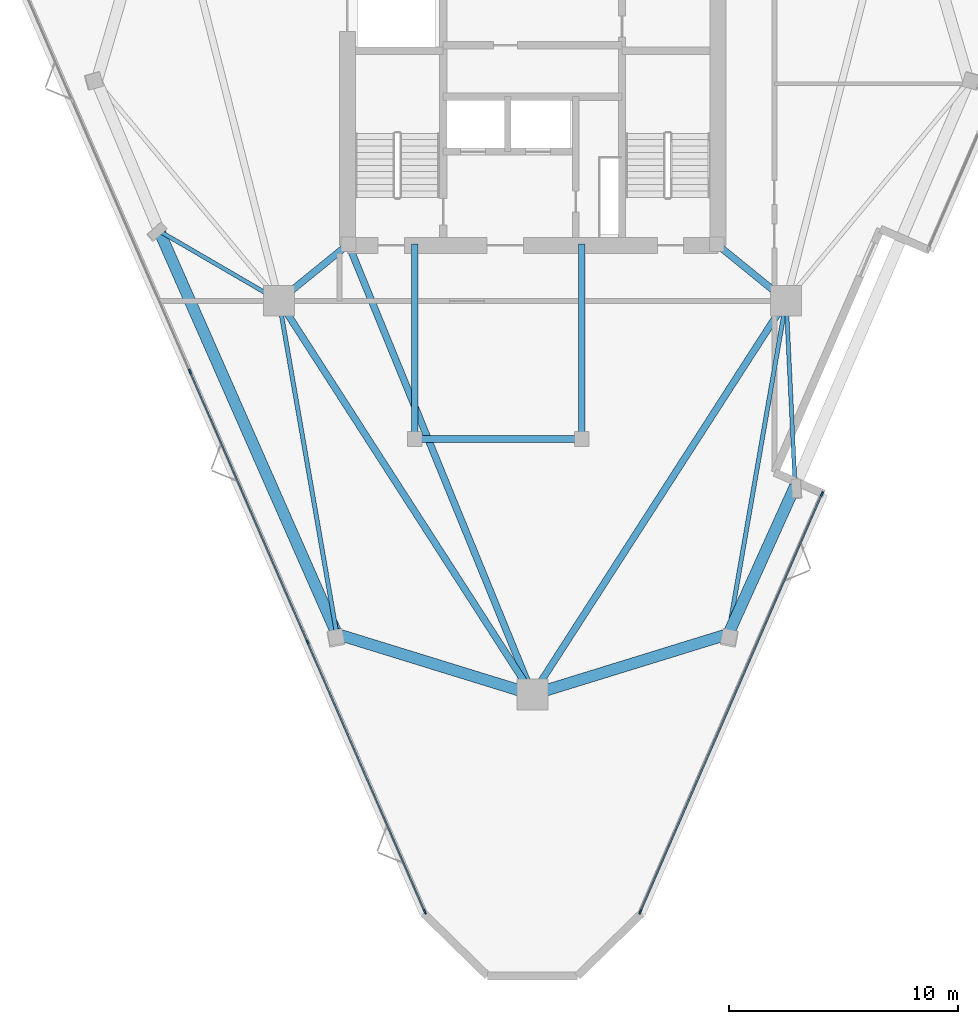
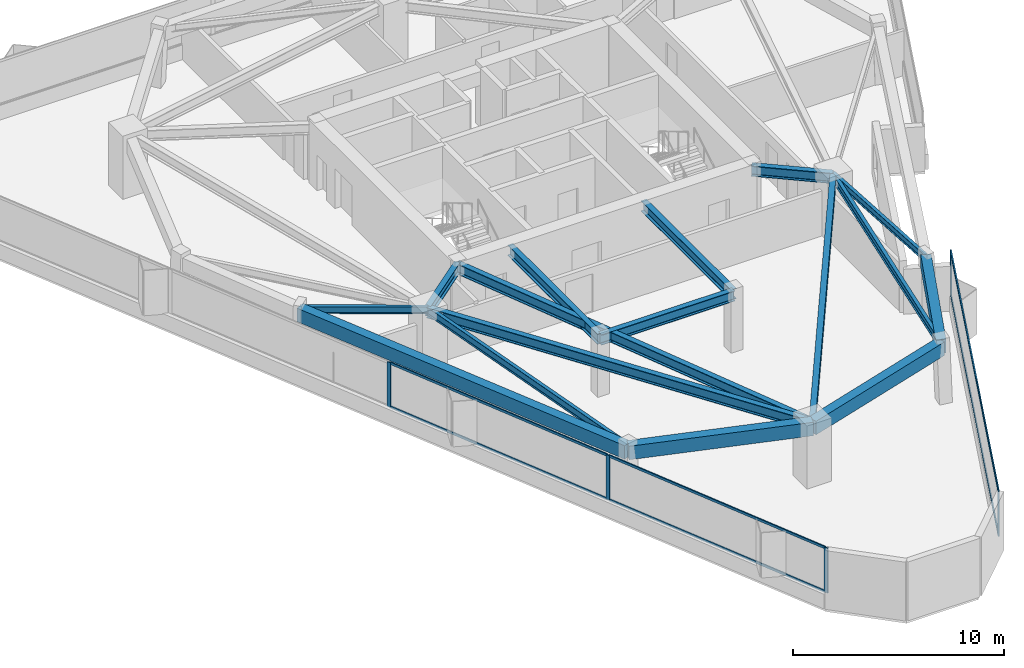
# One storey, part 2 of 9: 16 beams, 11 members, 2 elements without a shape of their own.
"""IFC4 building model written with IfcOpenShell, lengths in metres."""

from ifc_helpers import new_model, si_unit, direction, frame, origin, origin_2d, place, context, subcontext, project, spatial, rectangle, i_section, extrude, material, layer, layer_set, material_profile, profile_set, type_object, element, aggregate, save


model = new_model("IFC4")

# Units and contexts
model_context = context("Model", 3, precision=1e-05, world=origin(), true_north=direction((0.0, 1.0)))
body_context = subcontext(model_context, "Body", "Model", "MODEL_VIEW")
ifc_project = project(units=[si_unit("LENGTHUNIT", "METRE"), si_unit("AREAUNIT", "SQUARE_METRE"), si_unit("VOLUMEUNIT", "CUBIC_METRE"), si_unit("PLANEANGLEUNIT", "RADIAN"), si_unit("MASSUNIT", "GRAM", prefix="KILO")], contexts=[model_context])

# Site, building, storey
site_placement = place(None, origin())
site = spatial("IfcSite", under=ifc_project, at=site_placement, CompositionType="ELEMENT")
building_placement = place(site_placement, origin())
building = spatial("IfcBuilding", under=site, at=building_placement, Name="Talyreon Biosciences Tower", CompositionType="ELEMENT")
storey_placement = place(building_placement, frame((0.0, 0.0, 208.60009765625)))
storey = spatial("IfcBuildingStorey", under=building, at=storey_placement, Name="L55", CompositionType="ELEMENT", Elevation=208.60009765625)

# Curtain wall, members
ifc_material_1 = material(Name="Thermally broken aluminium and low-E glazing", Category="aluminium")
ifc_layer = layer(ifc_material_1, 0.205078125)
ifc_layer_set = layer_set([ifc_layer], Name="Thermally broken aluminium and low-E glazing")
curtain_wall_type = type_object("IfcCurtainWallType", Name="CurtainWall_SkyGardenLoggia", PredefinedType="NOTDEFINED", material=ifc_layer_set)
curtain_wall_1_placement = place(storey_placement, origin())
curtain_wall_1 = element("IfcCurtainWall", 1, at=curtain_wall_1_placement, inside=storey, type_object=curtain_wall_type, Name="L55 Unitised Curtain Wall FCW-L55-11", PredefinedType="NOTDEFINED")
ifc_material_2 = material(Name="Anodised thermally broken aluminium", Category="aluminium")
ifc_material_profile_1 = material_profile(ifc_material_2, rectangle(XDim=0.074951171875, YDim=0.2099609375, at=origin_2d()), Name="ALUM MULLION 75x210")
ifc_profile_set_1 = profile_set([ifc_material_profile_1], Name="Anodised thermally broken aluminium")
member_type_1 = type_object("IfcMemberType", Name="CWMullion_75x210", PredefinedType="MULLION", material=ifc_profile_set_1)
member_1_placement = place(storey_placement, frame((78.6513671875, 50.433349609375, 0.809814453125), z_axis=(0.0, 0.0, 1.0), x_axis=(0.917113940349, -0.3986251628, 0.0)))
member_1 = element("IfcMember", 2, at=member_1_placement, type_object=member_type_1, Name="CW7 mullion 1", PredefinedType="MULLION", context=body_context, shape_type="SweptSolid", body=[
    extrude(rectangle(XDim=0.074951171875, YDim=0.2099609375, at=origin_2d()), origin(), (0.0, 0.0, 1.0), 2.590087890625),
])
member_2_placement = place(storey_placement, frame((70.71044921875, 32.164306640625, 0.809814453125), z_axis=(0.0, 0.0, 1.0), x_axis=(0.917113940349, -0.3986251628, 0.0)))
member_2 = element("IfcMember", 3, at=member_2_placement, type_object=member_type_1, Name="CW7 mullion 2", PredefinedType="MULLION", context=body_context, shape_type="SweptSolid", body=[
    extrude(rectangle(XDim=0.074951171875, YDim=0.2099609375, at=origin_2d()), origin(), (0.0, 0.0, 1.0), 2.590087890625),
])

curtain_wall_2_placement = place(storey_placement, origin())
curtain_wall_2 = element("IfcCurtainWall", 4, at=curtain_wall_2_placement, inside=storey, type_object=curtain_wall_type, Name="L55 Unitised Curtain Wall FCW-L55-15", PredefinedType="NOTDEFINED")
member_3_placement = place(storey_placement, frame((61.28955078125, 32.164306640625, 0.809814453125), z_axis=(0.0, 0.0, 1.0), x_axis=(-0.917113439943, -0.398626314079, 0.0)))
member_3 = element("IfcMember", 5, at=member_3_placement, type_object=member_type_1, Name="CW7 mullion 1", PredefinedType="MULLION", context=body_context, shape_type="SweptSolid", body=[
    extrude(rectangle(XDim=0.074951171875, YDim=0.2099609375, at=origin_2d()), origin(), (0.0, 0.0, 1.0), 2.590087890625),
])
member_4_placement = place(storey_placement, frame((56.1630859375, 43.95849609375, 0.809814453125), z_axis=(0.0, 0.0, 1.0), x_axis=(-0.917113439943, -0.398626314079, 0.0)))
member_4 = element("IfcMember", 6, at=member_4_placement, type_object=member_type_1, Name="CW7 mullion 2", PredefinedType="MULLION", context=body_context, shape_type="SweptSolid", body=[
    extrude(rectangle(XDim=0.074951171875, YDim=0.2099609375, at=origin_2d()), origin(), (0.0, 0.0, 1.0), 2.590087890625),
])
member_5_placement = place(storey_placement, frame((51.021728515625, 55.787109375, 0.809814453125), z_axis=(0.0, 0.0, 1.0), x_axis=(-0.917113439943, -0.398626314079, 0.0)))
member_5 = element("IfcMember", 7, at=member_5_placement, type_object=member_type_1, Name="CW7 mullion 3", PredefinedType="MULLION", context=body_context, shape_type="SweptSolid", body=[
    extrude(rectangle(XDim=0.074951171875, YDim=0.2099609375, at=origin_2d()), origin(), (0.0, 0.0, 1.0), 2.590087890625),
])

# Member
ifc_material_profile_2 = material_profile(ifc_material_2, rectangle(XDim=0.06494140625, YDim=0.139892578125, at=origin_2d()), Name="ALUM TRANSOM 65x140")
ifc_profile_set_2 = profile_set([ifc_material_profile_2], Name="Anodised thermally broken aluminium")
member_type_2 = type_object("IfcMemberType", Name="CWTransom_65x140", PredefinedType="USERDEFINED", material=ifc_profile_set_2)
member_6_placement = place(storey_placement, frame((78.63623046875, 50.39892578125, 0.84228515625), z_axis=(-0.39861634699, -0.917117772106, 0.0), x_axis=(0.917117772106, -0.39861634699, 0.0)))
member_6 = element("IfcMember", 8, at=member_6_placement, type_object=member_type_2, Name="CW7 transom 1.1", ObjectType="TRANSOM", PredefinedType="USERDEFINED", context=body_context, shape_type="SweptSolid", body=[
    extrude(rectangle(XDim=0.06494140625, YDim=0.139892578125, at=origin_2d()), origin(), (0.0, 0.0, 1.0), 19.84521484375),
])

member_7_placement = place(storey_placement, frame((78.63623046875, 50.39892578125, 3.367431640625), z_axis=(-0.39861634699, -0.917117772106, 0.0), x_axis=(0.917117772106, -0.39861634699, 0.0)))
member_7 = element("IfcMember", 9, at=member_7_placement, type_object=member_type_2, Name="CW7 transom 1.2", ObjectType="TRANSOM", PredefinedType="USERDEFINED", context=body_context, shape_type="SweptSolid", body=[
    extrude(rectangle(XDim=0.06494140625, YDim=0.139892578125, at=origin_2d()), origin(), (0.0, 0.0, 1.0), 19.84521484375),
])

aggregate(curtain_wall_1, [member_1, member_2, member_6, member_7])

member_8_placement = place(storey_placement, frame((61.2744140625, 32.198486328125, 0.84228515625), z_axis=(-0.398617880751, 0.91711710547, 0.0), x_axis=(-0.91711710547, -0.398617880751, 0.0)))
member_8 = element("IfcMember", 10, at=member_8_placement, type_object=member_type_2, Name="CW7 transom 1.1", ObjectType="TRANSOM", PredefinedType="USERDEFINED", context=body_context, shape_type="SweptSolid", body=[
    extrude(rectangle(XDim=0.06494140625, YDim=0.139892578125, at=origin_2d()), origin(), (0.0, 0.0, 1.0), 12.78515625),
])

member_9_placement = place(storey_placement, frame((61.2744140625, 32.198486328125, 3.367431640625), z_axis=(-0.398617880751, 0.91711710547, 0.0), x_axis=(-0.91711710547, -0.398617880751, 0.0)))
member_9 = element("IfcMember", 11, at=member_9_placement, type_object=member_type_2, Name="CW7 transom 1.2", ObjectType="TRANSOM", PredefinedType="USERDEFINED", context=body_context, shape_type="SweptSolid", body=[
    extrude(rectangle(XDim=0.06494140625, YDim=0.139892578125, at=origin_2d()), origin(), (0.0, 0.0, 1.0), 12.78515625),
])

member_10_placement = place(storey_placement, frame((56.148193359375, 43.992919921875, 0.84228515625), z_axis=(-0.398636298553, 0.917109100095, 0.0), x_axis=(-0.917109100095, -0.398636298553, 0.0)))
member_10 = element("IfcMember", 12, at=member_10_placement, type_object=member_type_2, Name="CW7 transom 2.1", ObjectType="TRANSOM", PredefinedType="USERDEFINED", context=body_context, shape_type="SweptSolid", body=[
    extrude(rectangle(XDim=0.06494140625, YDim=0.139892578125, at=origin_2d()), origin(), (0.0, 0.0, 1.0), 12.82275390625),
])

member_11_placement = place(storey_placement, frame((56.148193359375, 43.992919921875, 3.367431640625), z_axis=(-0.398636298553, 0.917109100095, 0.0), x_axis=(-0.917109100095, -0.398636298553, 0.0)))
member_11 = element("IfcMember", 13, at=member_11_placement, type_object=member_type_2, Name="CW7 transom 2.2", ObjectType="TRANSOM", PredefinedType="USERDEFINED", context=body_context, shape_type="SweptSolid", body=[
    extrude(rectangle(XDim=0.06494140625, YDim=0.139892578125, at=origin_2d()), origin(), (0.0, 0.0, 1.0), 12.82275390625),
])

aggregate(curtain_wall_2, [member_3, member_4, member_5, member_8, member_9, member_10, member_11])

# Beams
ifc_material_3 = material(Name="Precast concrete C45/55", Category="concrete")
ifc_material_profile_3 = material_profile(ifc_material_3, rectangle(XDim=0.5, YDim=0.780029296875, at=origin_2d()), Name="RCB 500x780")
ifc_profile_set_3 = profile_set([ifc_material_profile_3], Name="Precast concrete C45/55")
beam_type_1 = type_object("IfcBeamType", Name="ExpressedSpandrel_500x780", PredefinedType="SPANDREL", material=ifc_profile_set_3)
beam_1_placement = place(storey_placement, frame((66.0, 41.6669921875, 3.010009765625), z_axis=(0.955502821835, 0.294981961254, 0.0), x_axis=(-0.294981961254, 0.955502821835, 0.0)))
element("IfcBeam", 14, at=beam_1_placement, inside=storey, type_object=beam_type_1, Name="L55 Expressed Horizontal Concrete Spandrel 01", PredefinedType="SPANDREL", context=body_context, shape_type="SweptSolid", body=[
    extrude(rectangle(XDim=0.5, YDim=0.780029296875, at=origin_2d()), origin(), (0.0, 0.0, 1.0), 8.95849609375),
])
beam_2_placement = place(storey_placement, frame((74.559814453125, 44.3095703125, 3.010009765625), z_axis=(0.411358953838, 0.911473428629, 0.0), x_axis=(-0.911473428629, 0.411358953838, 0.0)))
element("IfcBeam", 15, at=beam_2_placement, inside=storey, type_object=beam_type_1, Name="L55 Expressed Horizontal Concrete Spandrel 02", PredefinedType="SPANDREL", context=body_context, shape_type="SweptSolid", body=[
    extrude(rectangle(XDim=0.5, YDim=0.780029296875, at=origin_2d()), origin(), (0.0, 0.0, 1.0), 7.093994140625),
])
beam_3_placement = place(storey_placement, frame((49.6767578125, 61.928466796875, 3.010009765625), z_axis=(0.403222144766, -0.915102126525, 0.0), x_axis=(0.915102126525, 0.403222144766, 0.0)))
element("IfcBeam", 16, at=beam_3_placement, inside=storey, type_object=beam_type_1, Name="L55 Expressed Horizontal Concrete Spandrel 11", PredefinedType="SPANDREL", context=body_context, shape_type="SweptSolid", body=[
    extrude(rectangle(XDim=0.5, YDim=0.780029296875, at=origin_2d()), origin(), (0.0, 0.0, 1.0), 19.25341796875),
])
beam_4_placement = place(storey_placement, frame((57.440185546875, 44.3095703125, 3.010009765625), z_axis=(0.955502821835, -0.294981961254, 0.0), x_axis=(0.294981961254, 0.955502821835, 0.0)))
element("IfcBeam", 17, at=beam_4_placement, inside=storey, type_object=beam_type_1, Name="L55 Expressed Horizontal Concrete Spandrel 12", PredefinedType="SPANDREL", context=body_context, shape_type="SweptSolid", body=[
    extrude(rectangle(XDim=0.5, YDim=0.780029296875, at=origin_2d()), origin(), (0.0, 0.0, 1.0), 8.95849609375),
])
ifc_material_4 = material(Name="Steel SM355", Category="steel")
ifc_material_profile_4 = material_profile(ifc_material_4, i_section(OverallWidth=0.300048828125, OverallDepth=0.60009765625, WebThickness=0.015380859375, FlangeThickness=0.030029296875, FilletRadius=0.027099609375, at=origin_2d()), Name="HE600B")
ifc_profile_set_4 = profile_set([ifc_material_profile_4], Name="Steel SM355")
beam_type_2 = type_object("IfcBeamType", Name="SteelBeam_HE600B", PredefinedType="BEAM", material=ifc_profile_set_4)
for number, where, z_axis, x_axis, name in (
    (18, (66.0, 41.6669921875, 3.099853515625), (0.541463723609, 0.840724114092, 0.0), (-0.840724114092, 0.541463723609, 0.0), "L55 Mega-Ring Girder 1"),
    (19, (54.913818359375, 58.88037109375, 3.099853515625), (0.541463723609, -0.840724114092, 0.0), (0.840724114092, 0.541463723609, 0.0), "L55 Mega-Ring Girder 6"),
):
    element("IfcBeam", number, at=place(storey_placement, frame(where, z_axis=z_axis, x_axis=x_axis)), inside=storey, type_object=beam_type_2, Name=name, PredefinedType="BEAM", context=body_context, shape_type="SweptSolid", body=[
        extrude(i_section(OverallWidth=0.300048828125, OverallDepth=0.60009765625, WebThickness=0.015380859375, FlangeThickness=0.030029296875, FilletRadius=0.027099609375, at=origin_2d()), origin(), (0.0, 0.0, 1.0), 20.474365234375),
    ])
beam_5_placement = place(storey_placement, frame((57.949951171875, 61.35009765625, 3.099853515625), z_axis=(0.378547014545, -0.925582064314, 0.0), x_axis=(0.925582064314, 0.378547014545, 0.0)))
element("IfcBeam", 20, at=beam_5_placement, inside=storey, type_object=beam_type_2, Name="L55 Radial Primary Girder 1", PredefinedType="BEAM", context=body_context, shape_type="SweptSolid", body=[
    extrude(i_section(OverallWidth=0.300048828125, OverallDepth=0.60009765625, WebThickness=0.015380859375, FlangeThickness=0.030029296875, FilletRadius=0.027099609375, at=origin_2d()), origin(), (0.0, 0.0, 1.0), 21.265625),
])
for number, where, z_axis, x_axis, name in (
    (21, (74.050048828125, 61.35009765625, 3.099853515625), (0.775755154013, -0.631034025249, 0.0), (0.631034025249, 0.775755154013, 0.0), "L55 Radial Primary Girder 2"),
    (22, (57.949951171875, 61.35009765625, 3.099853515625), (-0.775755154013, -0.631034025249, 0.0), (0.631034025249, -0.775755154013, 0.0), "L55 Radial Primary Girder 6"),
):
    element("IfcBeam", number, at=place(storey_placement, frame(where, z_axis=z_axis, x_axis=x_axis)), inside=storey, type_object=beam_type_2, Name=name, PredefinedType="BEAM", context=body_context, shape_type="SweptSolid", body=[
        extrude(i_section(OverallWidth=0.300048828125, OverallDepth=0.60009765625, WebThickness=0.015380859375, FlangeThickness=0.030029296875, FilletRadius=0.027099609375, at=origin_2d()), origin(), (0.0, 0.0, 1.0), 3.913818359375),
    ])
beam_6_placement = place(storey_placement, frame((60.85009765625, 52.840087890625, 3.099853515625), z_axis=(1.0, 0.0, 0.0), x_axis=(0.0, 1.0, 0.0)))
element("IfcBeam", 23, at=beam_6_placement, inside=storey, type_object=beam_type_2, Name="L55 Crown Shaft Spine Girder S", PredefinedType="BEAM", context=body_context, shape_type="SweptSolid", body=[
    extrude(i_section(OverallWidth=0.300048828125, OverallDepth=0.60009765625, WebThickness=0.015380859375, FlangeThickness=0.030029296875, FilletRadius=0.027099609375, at=origin_2d()), origin(), (0.0, 0.0, 1.0), 7.2998046875),
])
for number, where, z_axis, x_axis, name in (
    (24, (60.85009765625, 52.840087890625, 3.099853515625), (0.0, 1.0, 0.0), (-1.0, 0.0, 0.0), "L55 Crown Shaft Tie Girder W"),
    (25, (68.14990234375, 52.840087890625, 3.099853515625), (0.0, 1.0, 0.0), (-1.0, 0.0, 0.0), "L55 Crown Shaft Tie Girder E"),
):
    element("IfcBeam", number, at=place(storey_placement, frame(where, z_axis=z_axis, x_axis=x_axis)), inside=storey, type_object=beam_type_2, Name=name, PredefinedType="BEAM", context=body_context, shape_type="SweptSolid", body=[
        extrude(i_section(OverallWidth=0.300048828125, OverallDepth=0.60009765625, WebThickness=0.015380859375, FlangeThickness=0.030029296875, FilletRadius=0.027099609375, at=origin_2d()), origin(), (0.0, 0.0, 1.0), 8.510009765625),
    ])
ifc_material_profile_5 = material_profile(ifc_material_4, i_section(OverallWidth=0.179931640625, OverallDepth=0.39990234375, WebThickness=0.008544921875, FlangeThickness=0.013427734375, FilletRadius=0.02099609375, at=origin_2d()), Name="IPE400")
ifc_profile_set_5 = profile_set([ifc_material_profile_5], Name="Steel SM355")
beam_type_3 = type_object("IfcBeamType", Name="SteelJoist_IPE400", PredefinedType="JOIST", material=ifc_profile_set_5)
beam_7_placement = place(storey_placement, frame((77.086181640625, 58.88037109375, 3.199951171875), z_axis=(0.048291334612, -0.998833292898, 0.0), x_axis=(0.998833292898, 0.048291334612, 0.0)))
element("IfcBeam", 26, at=beam_7_placement, inside=storey, type_object=beam_type_3, Name="L55 Radial Composite Floor Joist PL-SE", PredefinedType="JOIST", context=body_context, shape_type="SweptSolid", body=[
    extrude(i_section(OverallWidth=0.179931640625, OverallDepth=0.39990234375, WebThickness=0.008544921875, FlangeThickness=0.013427734375, FilletRadius=0.02099609375, at=origin_2d()), origin(), (0.0, 0.0, 1.0), 8.1142578125),
])
beam_8_placement = place(storey_placement, frame((54.913818359375, 58.88037109375, 3.199951171875), z_axis=(-0.864270950663, 0.503026563751, 0.0), x_axis=(-0.503026563751, -0.864270950663, 0.0)))
element("IfcBeam", 27, at=beam_8_placement, inside=storey, type_object=beam_type_3, Name="L55 Radial Composite Floor Joist PL-SW", PredefinedType="JOIST", context=body_context, shape_type="SweptSolid", body=[
    extrude(i_section(OverallWidth=0.179931640625, OverallDepth=0.39990234375, WebThickness=0.008544921875, FlangeThickness=0.013427734375, FilletRadius=0.02099609375, at=origin_2d()), origin(), (0.0, 0.0, 1.0), 6.0595703125),
])
ifc_material_profile_6 = material_profile(ifc_material_4, i_section(OverallWidth=0.18994140625, OverallDepth=0.449951171875, WebThickness=0.009521484375, FlangeThickness=0.0146484375, FilletRadius=0.02099609375, at=origin_2d()), Name="IPE450")
ifc_profile_set_6 = profile_set([ifc_material_profile_6], Name="Steel SM355")
beam_type_4 = type_object("IfcBeamType", Name="SteelJoist_IPE450", PredefinedType="JOIST", material=ifc_profile_set_6)
for number, where, z_axis, x_axis, name in (
    (28, (77.086181640625, 58.88037109375, 3.1748046875), (-0.170836729471, -0.985299351397, 0.0), (0.985299351397, -0.170836729471, 0.0), "L55 Radial Composite Floor Joist PC-SE1"),
    (29, (54.913818359375, 58.88037109375, 3.1748046875), (0.170836729471, -0.985299351397, 0.0), (0.985299351397, 0.170836729471, 0.0), "L55 Radial Composite Floor Joist PC-SW2"),
):
    element("IfcBeam", number, at=place(storey_placement, frame(where, z_axis=z_axis, x_axis=x_axis)), inside=storey, type_object=beam_type_4, Name=name, PredefinedType="JOIST", context=body_context, shape_type="SweptSolid", body=[
        extrude(i_section(OverallWidth=0.18994140625, OverallDepth=0.449951171875, WebThickness=0.009521484375, FlangeThickness=0.0146484375, FilletRadius=0.02099609375, at=origin_2d()), origin(), (0.0, 0.0, 1.0), 14.7880859375),
    ])

save(model, "model.ifc")
